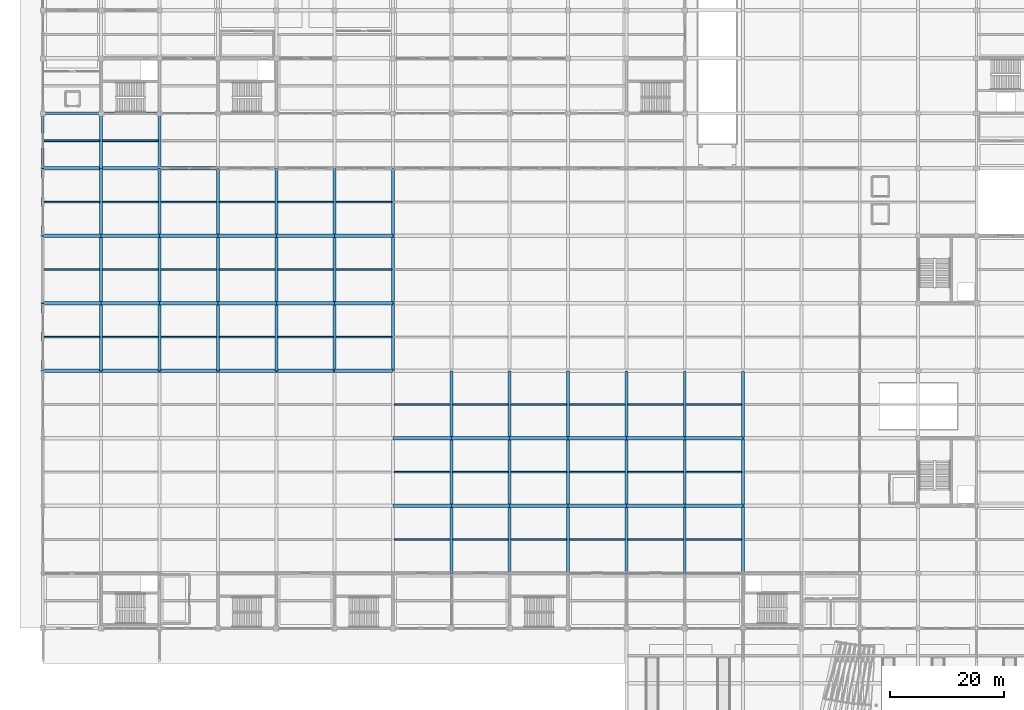
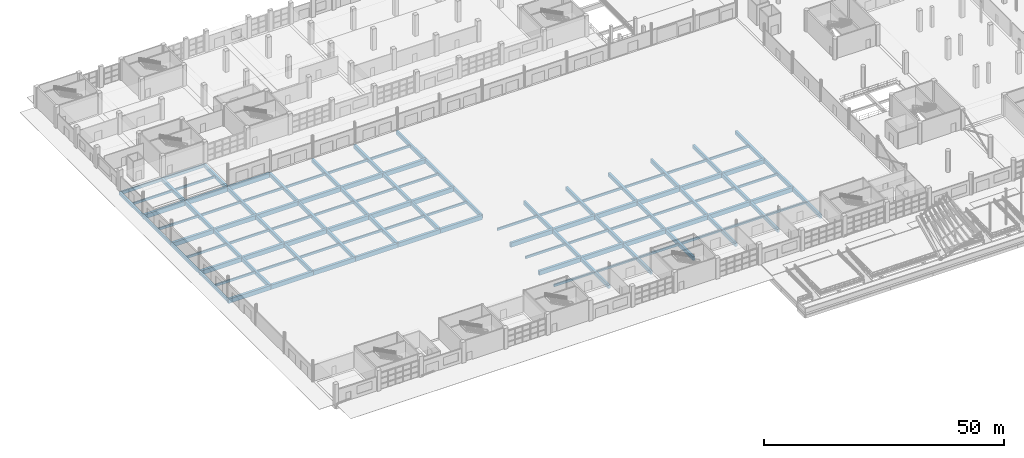
# One storey, part 37 of 124: 115 beams.
"""IFC4 building model written with IfcOpenShell, lengths in metres."""

import ifcopenshell
import ifcopenshell.guid

model = None  # the IFC model being written
_history = None  # IfcOwnerHistory: only IFC2X3 demands one
_inside = {}  # id of a spatial element -> (the spatial element, [elements in it])
_under = {}  # id of a project, library or spatial element -> (it, [spatial elements below it])
_declared = {}  # id of a project -> (the project, [libraries it declares])
_typed = {}  # id of a type object -> (the type object, [elements of that type])
_made_of = {}  # id of a material, layer set ... -> (it, [elements and type objects made of it])


def new_model(schema):
    """Start an empty IFC model of exactly this schema.

    Asked for "IFC4X3", IfcOpenShell would pick the latest addendum, in which some entities
    have other attributes; the version numbers below select the first issue.
    IFC2X3 requires an IfcOwnerHistory on every rooted entity: one is made here for all.
    """
    global model, _history
    if schema == "IFC4X3":
        model = ifcopenshell.file(schema_version=(4, 3, 0, 0))
    else:
        model = ifcopenshell.file(schema=schema)
    _inside.clear()
    _under.clear()
    _declared.clear()
    _typed.clear()
    _made_of.clear()
    _history = None
    if model.schema == "IFC2X3":
        org = make("IfcOrganization", Name="unknown")
        user = make(
            "IfcPersonAndOrganization",
            ThePerson=make("IfcPerson", FamilyName="unknown"),
            TheOrganization=org,
        )
        app = make(
            "IfcApplication",
            ApplicationDeveloper=org,
            Version="unknown",
            ApplicationFullName="unknown",
            ApplicationIdentifier="unknown",
        )
        _history = make(
            "IfcOwnerHistory",
            OwningUser=user,
            OwningApplication=app,
            ChangeAction="ADDED",
            CreationDate=0,
        )
    return model


def make(cls, **values):
    """One entity of the class cls with the attributes given. An attribute that is None is left unset."""
    return model.create_entity(
        cls, **{name: value for name, value in values.items() if value is not None}
    )


def rooted(cls, **values):
    """An entity with a GlobalId (a new one), such as an element, a storey or a relation."""
    return make(cls, GlobalId=ifcopenshell.guid.new(), OwnerHistory=_history, **values)


def si_unit(unit_type, name, prefix=None):
    """IfcSIUnit, for example si_unit("LENGTHUNIT", "METRE", prefix="MILLI")."""
    return make("IfcSIUnit", UnitType=unit_type, Prefix=prefix, Name=name)


def assignment(units):
    """IfcUnitAssignment: the units of a project."""
    return None if units is None else make("IfcUnitAssignment", Units=units)


def point(xyz):
    """IfcCartesianPoint."""
    return None if xyz is None else make("IfcCartesianPoint", Coordinates=xyz)


def direction(xyz):
    """IfcDirection."""
    return None if xyz is None else make("IfcDirection", DirectionRatios=xyz)


def frame(location, z_axis=None, x_axis=None):
    """IfcAxis2Placement3D, a coordinate frame: its origin and axes. An axis left out is left unset."""
    return make(
        "IfcAxis2Placement3D",
        Location=point(location),
        Axis=direction(z_axis),
        RefDirection=direction(x_axis),
    )


def frame_2d(location, x_axis=None):
    """IfcAxis2Placement2D, a coordinate frame in the plane: its origin and x axis."""
    return make(
        "IfcAxis2Placement2D", Location=point(location), RefDirection=direction(x_axis)
    )


def origin():
    """The frame at (0, 0, 0) with its axes left unset."""
    return frame((0.0, 0.0, 0.0))


def origin_2d():
    """The frame at (0, 0) in the plane with its x axis left unset."""
    return frame_2d((0.0, 0.0))


def place(relative_to, where):
    """IfcLocalPlacement: puts the frame where relative to a parent placement (None: the world)."""
    return make(
        "IfcLocalPlacement", PlacementRelTo=relative_to, RelativePlacement=where
    )


def context(
    kind, dimensions, precision=None, world=None, true_north=None, identifier=None
):
    """IfcGeometricRepresentationContext, for example the 3D "Model" context."""
    return make(
        "IfcGeometricRepresentationContext",
        ContextIdentifier=identifier,
        ContextType=kind,
        CoordinateSpaceDimension=dimensions,
        Precision=precision,
        WorldCoordinateSystem=world,
        TrueNorth=true_north,
    )


def subcontext(parent, identifier, kind, view, scale=None):
    """IfcGeometricRepresentationSubContext, for example "Body" below "Model"."""
    return make(
        "IfcGeometricRepresentationSubContext",
        ContextIdentifier=identifier,
        ContextType=kind,
        ParentContext=parent,
        TargetScale=scale,
        TargetView=view,
    )


def project(units=None, contexts=None):
    """IfcProject with its units and contexts."""
    return rooted(
        "IfcProject",
        Name="project",
        RepresentationContexts=contexts,
        UnitsInContext=assignment(units),
    )


def spatial(cls, under=None, at=None, **own):
    """A site, building, storey or space (cls), placed at a placement, below another one or the project."""
    s = rooted(cls, ObjectPlacement=at, **own)
    if under is not None:
        _under.setdefault(under.id(), (under, []))[1].append(s)
    return s


def profile(cls, at=None, kind="AREA", **sizes):
    """A parametric profile (cls). Its sizes go by their IFC names, for example OverallWidth=200.0."""
    return make(cls, ProfileType=kind, Position=at, **sizes)


def rectangle(**sizes):
    """IfcRectangleProfileDef."""
    return profile("IfcRectangleProfileDef", **sizes)


def extrude(swept, where, along, depth):
    """IfcExtrudedAreaSolid: the profile swept, set in the frame where, extruded along a direction by depth."""
    return make(
        "IfcExtrudedAreaSolid",
        SweptArea=swept,
        Position=where,
        ExtrudedDirection=direction(along),
        Depth=depth,
    )


def shape(context_of_items, identifier, shape_type, items):
    """IfcShapeRepresentation: the items that make up one representation, for example the "Body"."""
    return make(
        "IfcShapeRepresentation",
        ContextOfItems=context_of_items,
        RepresentationIdentifier=identifier,
        RepresentationType=shape_type,
        Items=items,
    )


def material(Name=None, Category=None):
    """IfcMaterial."""
    return make("IfcMaterial", Name=Name, Category=Category)


def material_profile(
    of_material, cross_section, Name=None, Category=None, Priority=None
):
    """IfcMaterialProfile: a cross section and its material."""
    return make(
        "IfcMaterialProfile",
        Name=Name,
        Material=of_material,
        Profile=cross_section,
        Priority=Priority,
        Category=Category,
    )


def profile_set(profiles, Name=None, composite=None):
    """IfcMaterialProfileSet."""
    return make(
        "IfcMaterialProfileSet",
        Name=Name,
        MaterialProfiles=profiles,
        CompositeProfile=composite,
    )


def made_of(thing, what):
    """Note that an element or type object is made of a material, layer set ...; save() writes the relation."""
    if what is not None:
        _made_of.setdefault(what.id(), (what, []))[1].append(thing)
    return thing


def type_object(cls, material=None, **own):
    """A type object (cls), such as IfcWallType, which elements share."""
    return made_of(rooted(cls, **own), material)


def element(
    cls,
    number,
    at=None,
    inside=None,
    cuts=None,
    type_object=None,
    material=None,
    context=None,
    identifier="Body",
    shape_type=None,
    held_by="IfcProductDefinitionShape",
    body=None,
    shapes=None,
    **own,
):
    """One element of the class cls, such as IfcWall. Its Tag is "e" and its number.

    at: its placement. inside: the storey or other place that contains it. cuts: it is an
    opening in that element (IfcRelVoidsElement). A single representation is given by context,
    identifier, shape_type and body (its items); several are given by shapes. held_by: the class
    of the entity that holds the representations. save() writes the other relations.
    """
    e = rooted(cls, Tag="e%d" % number, ObjectPlacement=at, **own)
    if body is not None:
        shapes = [shape(context, identifier, shape_type, body)]
    if shapes is not None:
        e.Representation = make(held_by, Representations=shapes)
    if inside is not None:
        _inside.setdefault(inside.id(), (inside, []))[1].append(e)
    if cuts is not None:
        rooted(
            "IfcRelVoidsElement", RelatingBuildingElement=cuts, RelatedOpeningElement=e
        )
    if type_object is not None:
        _typed.setdefault(type_object.id(), (type_object, []))[1].append(e)
    return made_of(e, material)


def aggregate(whole, parts):
    """IfcRelAggregates: a whole, such as a stair, and the parts it consists of."""
    return rooted("IfcRelAggregates", RelatingObject=whole, RelatedObjects=parts)


def save(model, path):
    """Write the relations noted so far, then the file.

    IfcRelAggregates (storeys below a building ...), IfcRelContainedInSpatialStructure (elements
    in a storey), IfcRelDefinesByType, IfcRelAssociatesMaterial and IfcRelDeclares: one each for
    every whole, place, type object, material and project.
    """
    for whole, parts in _under.values():
        aggregate(whole, parts)
    for where, things in _inside.values():
        rooted(
            "IfcRelContainedInSpatialStructure",
            RelatedElements=things,
            RelatingStructure=where,
        )
    for kind, things in _typed.values():
        rooted("IfcRelDefinesByType", RelatedObjects=things, RelatingType=kind)
    for what, things in _made_of.values():
        rooted("IfcRelAssociatesMaterial", RelatedObjects=things, RelatingMaterial=what)
    for by, libraries in _declared.values():
        rooted("IfcRelDeclares", RelatingContext=by, RelatedDefinitions=libraries)
    model.write(path)


model = new_model("IFC4")

# Units and contexts
model_context = context("Model", 3, precision=1e-05, world=origin(), true_north=direction((0.0, 1.0)))
body_context = subcontext(model_context, "Body", "Model", "MODEL_VIEW")
ifc_project = project(units=[si_unit("LENGTHUNIT", "METRE"), si_unit("AREAUNIT", "SQUARE_METRE"), si_unit("VOLUMEUNIT", "CUBIC_METRE"), si_unit("PLANEANGLEUNIT", "RADIAN"), si_unit("MASSUNIT", "GRAM", prefix="KILO")], contexts=[model_context])

# Site, building, storey
site_placement = place(None, origin())
site = spatial("IfcSite", under=ifc_project, at=site_placement, CompositionType="ELEMENT")
building_placement = place(site_placement, origin())
building = spatial("IfcBuilding", under=site, at=building_placement, Name="Brelvane Convention Centre", CompositionType="ELEMENT")
storey_placement = place(building_placement, origin())
storey = spatial("IfcBuildingStorey", under=building, at=storey_placement, Name="L00", CompositionType="ELEMENT", Elevation=0.0)

# Beams
ifc_material_1 = material(Name="Concrete M50", Category="concrete")
ifc_material_profile_1 = material_profile(ifc_material_1, rectangle(XDim=0.60009765625, YDim=1.10009765625, at=origin_2d()), Name="RC 600x1100")
ifc_profile_set_1 = profile_set([ifc_material_profile_1], Name="Concrete M50")
beam_type_1 = type_object("IfcBeamType", Name="RC Beam B-RC2 (RC 600x1100)", PredefinedType="BEAM", material=ifc_profile_set_1)
for number, where, z_axis, x_axis, name in (
    (1, (0.0, 64.199951171875, -0.945068359375), (1.0, 0.0, 0.0), (0.0, 1.0, 0.0), "L00 Beam 1-2/G"),
    (2, (0.0, 76.0, -0.929931640625), (1.0, 0.0, 0.0), (0.0, 1.0, 0.0), "L00 Beam 1-2/H"),
    (3, (0.0, 87.800048828125, -0.929931640625), (1.0, 0.0, 0.0), (0.0, 1.0, 0.0), "L00 Beam 1-2/J"),
    (4, (0.0, 99.60009765625, -0.949951171875), (1.0, 0.0, 0.0), (0.0, 1.0, 0.0), "L00 Beam 1-2/K"),
    (5, (10.199951171875, 64.199951171875, -0.945068359375), (1.0, 0.0, 0.0), (0.0, 1.0, 0.0), "L00 Beam 2-3/G"),
    (6, (10.199951171875, 76.0, -0.929931640625), (1.0, 0.0, 0.0), (0.0, 1.0, 0.0), "L00 Beam 2-3/H"),
    (7, (10.199951171875, 87.800048828125, -0.929931640625), (1.0, 0.0, 0.0), (0.0, 1.0, 0.0), "L00 Beam 2-3/J"),
    (8, (10.199951171875, 99.60009765625, -0.949951171875), (1.0, 0.0, 0.0), (0.0, 1.0, 0.0), "L00 Beam 2-3/K"),
):
    element("IfcBeam", number, at=place(storey_placement, frame(where, z_axis=z_axis, x_axis=x_axis)), inside=storey, type_object=beam_type_1, Name=name, PredefinedType="BEAM", context=body_context, shape_type="SweptSolid", body=[
        extrude(rectangle(XDim=0.60009765625, YDim=1.10009765625, at=origin_2d()), origin(), (0.0, 0.0, 1.0), 10.199951171875),
    ])
for number, where, z_axis, x_axis, name in (
    (9, (20.39990234375, 64.199951171875, -0.945068359375), (1.0, 0.0, 0.0), (0.0, 1.0, 0.0), "L00 Beam 3-4/G"),
    (10, (20.39990234375, 76.0, -0.929931640625), (1.0, 0.0, 0.0), (0.0, 1.0, 0.0), "L00 Beam 3-4/H"),
    (11, (20.39990234375, 87.800048828125, -0.929931640625), (1.0, 0.0, 0.0), (0.0, 1.0, 0.0), "L00 Beam 3-4/J"),
    (12, (20.39990234375, 99.60009765625, -0.949951171875), (1.0, 0.0, 0.0), (0.0, 1.0, 0.0), "L00 Beam 3-4/K"),
):
    element("IfcBeam", number, at=place(storey_placement, frame(where, z_axis=z_axis, x_axis=x_axis)), inside=storey, type_object=beam_type_1, Name=name, PredefinedType="BEAM", context=body_context, shape_type="SweptSolid", body=[
        extrude(rectangle(XDim=0.60009765625, YDim=1.10009765625, at=origin_2d()), origin(), (0.0, 0.0, 1.0), 10.2001953125),
    ])
for number, where, z_axis, x_axis, name in (
    (13, (30.60009765625, 64.199951171875, -0.945068359375), (1.0, 0.0, 0.0), (0.0, 1.0, 0.0), "L00 Beam 4-5/G"),
    (14, (30.60009765625, 76.0, -0.929931640625), (1.0, 0.0, 0.0), (0.0, 1.0, 0.0), "L00 Beam 4-5/H"),
    (15, (30.60009765625, 87.800048828125, -0.929931640625), (1.0, 0.0, 0.0), (0.0, 1.0, 0.0), "L00 Beam 4-5/J"),
    (16, (40.800048828125, 64.199951171875, -0.945068359375), (1.0, 0.0, 0.0), (0.0, 1.0, 0.0), "L00 Beam 5-6/G"),
    (17, (40.800048828125, 76.0, -0.929931640625), (1.0, 0.0, 0.0), (0.0, 1.0, 0.0), "L00 Beam 5-6/H"),
    (18, (40.800048828125, 87.800048828125, -0.929931640625), (1.0, 0.0, 0.0), (0.0, 1.0, 0.0), "L00 Beam 5-6/J"),
    (19, (51.0, 64.199951171875, -0.929931640625), (1.0, 0.0, 0.0), (0.0, 1.0, 0.0), "L00 Beam 6-7/G"),
    (20, (51.0, 76.0, -0.929931640625), (1.0, 0.0, 0.0), (0.0, 1.0, 0.0), "L00 Beam 6-7/H"),
    (21, (51.0, 87.800048828125, -0.929931640625), (1.0, 0.0, 0.0), (0.0, 1.0, 0.0), "L00 Beam 6-7/J"),
    (22, (61.199951171875, 40.60009765625, -0.9150390625), (1.0, 0.0, 0.0), (0.0, 1.0, 0.0), "L00 Beam 7-8/E"),
    (23, (61.199951171875, 52.39990234375, -0.9150390625), (1.0, 0.0, 0.0), (0.0, 1.0, 0.0), "L00 Beam 7-8/F"),
):
    element("IfcBeam", number, at=place(storey_placement, frame(where, z_axis=z_axis, x_axis=x_axis)), inside=storey, type_object=beam_type_1, Name=name, PredefinedType="BEAM", context=body_context, shape_type="SweptSolid", body=[
        extrude(rectangle(XDim=0.60009765625, YDim=1.10009765625, at=origin_2d()), origin(), (0.0, 0.0, 1.0), 10.199951171875),
    ])
for number, where, z_axis, x_axis, name in (
    (24, (71.39990234375, 40.60009765625, -0.9150390625), (1.0, 0.0, 0.0), (0.0, 1.0, 0.0), "L00 Beam 8-9/E"),
    (25, (71.39990234375, 52.39990234375, -0.9150390625), (1.0, 0.0, 0.0), (0.0, 1.0, 0.0), "L00 Beam 8-9/F"),
):
    element("IfcBeam", number, at=place(storey_placement, frame(where, z_axis=z_axis, x_axis=x_axis)), inside=storey, type_object=beam_type_1, Name=name, PredefinedType="BEAM", context=body_context, shape_type="SweptSolid", body=[
        extrude(rectangle(XDim=0.60009765625, YDim=1.10009765625, at=origin_2d()), origin(), (0.0, 0.0, 1.0), 10.2001953125),
    ])
for number, where, z_axis, x_axis, name in (
    (26, (81.60009765625, 40.60009765625, -0.9150390625), (1.0, 0.0, 0.0), (0.0, 1.0, 0.0), "L00 Beam 9-10/E"),
    (27, (81.60009765625, 52.39990234375, -0.9150390625), (1.0, 0.0, 0.0), (0.0, 1.0, 0.0), "L00 Beam 9-10/F"),
    (28, (91.800048828125, 40.60009765625, -0.9150390625), (1.0, 0.0, 0.0), (0.0, 1.0, 0.0), "L00 Beam 10-11/E"),
    (29, (91.800048828125, 52.39990234375, -0.9150390625), (1.0, 0.0, 0.0), (0.0, 1.0, 0.0), "L00 Beam 10-11/F"),
    (30, (102.0, 40.60009765625, -0.929931640625), (1.0, 0.0, 0.0), (0.0, 1.0, 0.0), "L00 Beam 11-12/E"),
    (31, (102.0, 52.39990234375, -0.929931640625), (1.0, 0.0, 0.0), (0.0, 1.0, 0.0), "L00 Beam 11-12/F"),
    (32, (112.199951171875, 40.60009765625, -0.929931640625), (1.0, 0.0, 0.0), (0.0, 1.0, 0.0), "L00 Beam 12-13/E"),
    (33, (112.199951171875, 52.39990234375, -0.929931640625), (1.0, 0.0, 0.0), (0.0, 1.0, 0.0), "L00 Beam 12-13/F"),
):
    element("IfcBeam", number, at=place(storey_placement, frame(where, z_axis=z_axis, x_axis=x_axis)), inside=storey, type_object=beam_type_1, Name=name, PredefinedType="BEAM", context=body_context, shape_type="SweptSolid", body=[
        extrude(rectangle(XDim=0.60009765625, YDim=1.10009765625, at=origin_2d()), origin(), (0.0, 0.0, 1.0), 10.199951171875),
    ])
ifc_material_2 = material(Name="Concrete M50", Category="concrete")
ifc_material_profile_2 = material_profile(ifc_material_2, rectangle(XDim=0.52001953125, YDim=0.949951171875, at=origin_2d()), Name="RC 520x950")
ifc_profile_set_2 = profile_set([ifc_material_profile_2], Name="Concrete M50")
beam_type_2 = type_object("IfcBeamType", Name="RC Beam B-RC9 (RC 520x950)", PredefinedType="BEAM", material=ifc_profile_set_2)
for number, where, z_axis, x_axis, name in (
    (34, (10.199951171875, 64.199951171875, -0.85498046875), (0.0, 1.0, 0.0), (-1.0, 0.0, 0.0), "L00 Girder 2/G-H"),
    (35, (10.199951171875, 76.0, -0.85498046875), (0.0, 1.0, 0.0), (-1.0, 0.0, 0.0), "L00 Girder 2/H-J"),
    (36, (10.199951171875, 87.800048828125, -0.85498046875), (0.0, 1.0, 0.0), (-1.0, 0.0, 0.0), "L00 Girder 2/J-K"),
):
    element("IfcBeam", number, at=place(storey_placement, frame(where, z_axis=z_axis, x_axis=x_axis)), inside=storey, type_object=beam_type_2, Name=name, PredefinedType="BEAM", context=body_context, shape_type="SweptSolid", body=[
        extrude(rectangle(XDim=0.52001953125, YDim=0.949951171875, at=origin_2d()), origin(), (0.0, 0.0, 1.0), 11.800048828125),
    ])
beam_1_placement = place(storey_placement, frame((10.199951171875, 99.60009765625, -0.875), z_axis=(0.0, 1.0, 0.0), x_axis=(-1.0, 0.0, 0.0)))
element("IfcBeam", 37, at=beam_1_placement, inside=storey, type_object=beam_type_2, Name="L00 Girder 2/K-L", PredefinedType="BEAM", context=body_context, shape_type="SweptSolid", body=[
    extrude(rectangle(XDim=0.52001953125, YDim=0.949951171875, at=origin_2d()), origin(), (0.0, 0.0, 1.0), 9.599853515625),
])
for number, where, z_axis, x_axis, name in (
    (38, (20.39990234375, 64.199951171875, -0.85498046875), (0.0, 1.0, 0.0), (-1.0, 0.0, 0.0), "L00 Girder 3/G-H"),
    (39, (20.39990234375, 76.0, -0.85498046875), (0.0, 1.0, 0.0), (-1.0, 0.0, 0.0), "L00 Girder 3/H-J"),
    (40, (20.39990234375, 87.800048828125, -0.85498046875), (0.0, 1.0, 0.0), (-1.0, 0.0, 0.0), "L00 Girder 3/J-K"),
):
    element("IfcBeam", number, at=place(storey_placement, frame(where, z_axis=z_axis, x_axis=x_axis)), inside=storey, type_object=beam_type_2, Name=name, PredefinedType="BEAM", context=body_context, shape_type="SweptSolid", body=[
        extrude(rectangle(XDim=0.52001953125, YDim=0.949951171875, at=origin_2d()), origin(), (0.0, 0.0, 1.0), 11.800048828125),
    ])
beam_2_placement = place(storey_placement, frame((20.39990234375, 99.60009765625, -0.875), z_axis=(0.0, 1.0, 0.0), x_axis=(-1.0, 0.0, 0.0)))
element("IfcBeam", 41, at=beam_2_placement, inside=storey, type_object=beam_type_2, Name="L00 Girder 3/K-L", PredefinedType="BEAM", context=body_context, shape_type="SweptSolid", body=[
    extrude(rectangle(XDim=0.52001953125, YDim=0.949951171875, at=origin_2d()), origin(), (0.0, 0.0, 1.0), 9.599853515625),
])
for number, where, z_axis, x_axis, name in (
    (42, (30.60009765625, 64.199951171875, -0.85498046875), (0.0, 1.0, 0.0), (-1.0, 0.0, 0.0), "L00 Girder 4/G-H"),
    (43, (30.60009765625, 76.0, -0.85498046875), (0.0, 1.0, 0.0), (-1.0, 0.0, 0.0), "L00 Girder 4/H-J"),
    (44, (30.60009765625, 87.800048828125, -0.85498046875), (0.0, 1.0, 0.0), (-1.0, 0.0, 0.0), "L00 Girder 4/J-K"),
    (45, (40.800048828125, 64.199951171875, -0.85498046875), (0.0, 1.0, 0.0), (-1.0, 0.0, 0.0), "L00 Girder 5/G-H"),
    (46, (40.800048828125, 76.0, -0.85498046875), (0.0, 1.0, 0.0), (-1.0, 0.0, 0.0), "L00 Girder 5/H-J"),
    (47, (40.800048828125, 87.800048828125, -0.85498046875), (0.0, 1.0, 0.0), (-1.0, 0.0, 0.0), "L00 Girder 5/J-K"),
    (48, (51.0, 64.199951171875, -0.85498046875), (0.0, 1.0, 0.0), (-1.0, 0.0, 0.0), "L00 Girder 6/G-H"),
    (49, (51.0, 76.0, -0.85498046875), (0.0, 1.0, 0.0), (-1.0, 0.0, 0.0), "L00 Girder 6/H-J"),
    (50, (51.0, 87.800048828125, -0.85498046875), (0.0, 1.0, 0.0), (-1.0, 0.0, 0.0), "L00 Girder 6/J-K"),
    (51, (61.199951171875, 64.199951171875, -0.85498046875), (0.0, 1.0, 0.0), (-1.0, 0.0, 0.0), "L00 Girder 7/G-H"),
    (52, (61.199951171875, 76.0, -0.85498046875), (0.0, 1.0, 0.0), (-1.0, 0.0, 0.0), "L00 Girder 7/H-J"),
    (53, (61.199951171875, 87.800048828125, -0.85498046875), (0.0, 1.0, 0.0), (-1.0, 0.0, 0.0), "L00 Girder 7/J-K"),
    (54, (71.39990234375, 28.800048828125, -0.840087890625), (0.0, 1.0, 0.0), (-1.0, 0.0, 0.0), "L00 Girder 8/D-E"),
):
    element("IfcBeam", number, at=place(storey_placement, frame(where, z_axis=z_axis, x_axis=x_axis)), inside=storey, type_object=beam_type_2, Name=name, PredefinedType="BEAM", context=body_context, shape_type="SweptSolid", body=[
        extrude(rectangle(XDim=0.52001953125, YDim=0.949951171875, at=origin_2d()), origin(), (0.0, 0.0, 1.0), 11.800048828125),
    ])
beam_3_placement = place(storey_placement, frame((71.39990234375, 40.60009765625, -0.840087890625), z_axis=(0.0, 1.0, 0.0), x_axis=(-1.0, 0.0, 0.0)))
element("IfcBeam", 55, at=beam_3_placement, inside=storey, type_object=beam_type_2, Name="L00 Girder 8/E-F", PredefinedType="BEAM", context=body_context, shape_type="SweptSolid", body=[
    extrude(rectangle(XDim=0.52001953125, YDim=0.949951171875, at=origin_2d()), origin(), (0.0, 0.0, 1.0), 11.7998046875),
])
for number, where, z_axis, x_axis, name in (
    (56, (71.39990234375, 52.39990234375, -0.840087890625), (0.0, 1.0, 0.0), (-1.0, 0.0, 0.0), "L00 Girder 8/F-G"),
    (57, (81.60009765625, 28.800048828125, -0.840087890625), (0.0, 1.0, 0.0), (-1.0, 0.0, 0.0), "L00 Girder 9/D-E"),
):
    element("IfcBeam", number, at=place(storey_placement, frame(where, z_axis=z_axis, x_axis=x_axis)), inside=storey, type_object=beam_type_2, Name=name, PredefinedType="BEAM", context=body_context, shape_type="SweptSolid", body=[
        extrude(rectangle(XDim=0.52001953125, YDim=0.949951171875, at=origin_2d()), origin(), (0.0, 0.0, 1.0), 11.800048828125),
    ])
beam_4_placement = place(storey_placement, frame((81.60009765625, 40.60009765625, -0.840087890625), z_axis=(0.0, 1.0, 0.0), x_axis=(-1.0, 0.0, 0.0)))
element("IfcBeam", 58, at=beam_4_placement, inside=storey, type_object=beam_type_2, Name="L00 Girder 9/E-F", PredefinedType="BEAM", context=body_context, shape_type="SweptSolid", body=[
    extrude(rectangle(XDim=0.52001953125, YDim=0.949951171875, at=origin_2d()), origin(), (0.0, 0.0, 1.0), 11.7998046875),
])
for number, where, z_axis, x_axis, name in (
    (59, (81.60009765625, 52.39990234375, -0.840087890625), (0.0, 1.0, 0.0), (-1.0, 0.0, 0.0), "L00 Girder 9/F-G"),
    (60, (91.800048828125, 28.800048828125, -0.840087890625), (0.0, 1.0, 0.0), (-1.0, 0.0, 0.0), "L00 Girder 10/D-E"),
):
    element("IfcBeam", number, at=place(storey_placement, frame(where, z_axis=z_axis, x_axis=x_axis)), inside=storey, type_object=beam_type_2, Name=name, PredefinedType="BEAM", context=body_context, shape_type="SweptSolid", body=[
        extrude(rectangle(XDim=0.52001953125, YDim=0.949951171875, at=origin_2d()), origin(), (0.0, 0.0, 1.0), 11.800048828125),
    ])
beam_5_placement = place(storey_placement, frame((91.800048828125, 40.60009765625, -0.840087890625), z_axis=(0.0, 1.0, 0.0), x_axis=(-1.0, 0.0, 0.0)))
element("IfcBeam", 61, at=beam_5_placement, inside=storey, type_object=beam_type_2, Name="L00 Girder 10/E-F", PredefinedType="BEAM", context=body_context, shape_type="SweptSolid", body=[
    extrude(rectangle(XDim=0.52001953125, YDim=0.949951171875, at=origin_2d()), origin(), (0.0, 0.0, 1.0), 11.7998046875),
])
for number, where, z_axis, x_axis, name in (
    (62, (91.800048828125, 52.39990234375, -0.840087890625), (0.0, 1.0, 0.0), (-1.0, 0.0, 0.0), "L00 Girder 10/F-G"),
    (63, (102.0, 28.800048828125, -0.85498046875), (0.0, 1.0, 0.0), (-1.0, 0.0, 0.0), "L00 Girder 11/D-E"),
):
    element("IfcBeam", number, at=place(storey_placement, frame(where, z_axis=z_axis, x_axis=x_axis)), inside=storey, type_object=beam_type_2, Name=name, PredefinedType="BEAM", context=body_context, shape_type="SweptSolid", body=[
        extrude(rectangle(XDim=0.52001953125, YDim=0.949951171875, at=origin_2d()), origin(), (0.0, 0.0, 1.0), 11.800048828125),
    ])
beam_6_placement = place(storey_placement, frame((102.0, 40.60009765625, -0.85498046875), z_axis=(0.0, 1.0, 0.0), x_axis=(-1.0, 0.0, 0.0)))
element("IfcBeam", 64, at=beam_6_placement, inside=storey, type_object=beam_type_2, Name="L00 Girder 11/E-F", PredefinedType="BEAM", context=body_context, shape_type="SweptSolid", body=[
    extrude(rectangle(XDim=0.52001953125, YDim=0.949951171875, at=origin_2d()), origin(), (0.0, 0.0, 1.0), 11.7998046875),
])
for number, where, z_axis, x_axis, name in (
    (65, (102.0, 52.39990234375, -0.85498046875), (0.0, 1.0, 0.0), (-1.0, 0.0, 0.0), "L00 Girder 11/F-G"),
    (66, (112.199951171875, 28.800048828125, -0.85498046875), (0.0, 1.0, 0.0), (-1.0, 0.0, 0.0), "L00 Girder 12/D-E"),
):
    element("IfcBeam", number, at=place(storey_placement, frame(where, z_axis=z_axis, x_axis=x_axis)), inside=storey, type_object=beam_type_2, Name=name, PredefinedType="BEAM", context=body_context, shape_type="SweptSolid", body=[
        extrude(rectangle(XDim=0.52001953125, YDim=0.949951171875, at=origin_2d()), origin(), (0.0, 0.0, 1.0), 11.800048828125),
    ])
beam_7_placement = place(storey_placement, frame((112.199951171875, 40.60009765625, -0.85498046875), z_axis=(0.0, 1.0, 0.0), x_axis=(-1.0, 0.0, 0.0)))
element("IfcBeam", 67, at=beam_7_placement, inside=storey, type_object=beam_type_2, Name="L00 Girder 12/E-F", PredefinedType="BEAM", context=body_context, shape_type="SweptSolid", body=[
    extrude(rectangle(XDim=0.52001953125, YDim=0.949951171875, at=origin_2d()), origin(), (0.0, 0.0, 1.0), 11.7998046875),
])
for number, where, z_axis, x_axis, name in (
    (68, (112.199951171875, 52.39990234375, -0.85498046875), (0.0, 1.0, 0.0), (-1.0, 0.0, 0.0), "L00 Girder 12/F-G"),
    (69, (122.39990234375, 28.800048828125, -0.85498046875), (0.0, 1.0, 0.0), (-1.0, 0.0, 0.0), "L00 Girder 13/D-E"),
):
    element("IfcBeam", number, at=place(storey_placement, frame(where, z_axis=z_axis, x_axis=x_axis)), inside=storey, type_object=beam_type_2, Name=name, PredefinedType="BEAM", context=body_context, shape_type="SweptSolid", body=[
        extrude(rectangle(XDim=0.52001953125, YDim=0.949951171875, at=origin_2d()), origin(), (0.0, 0.0, 1.0), 11.800048828125),
    ])
beam_8_placement = place(storey_placement, frame((122.39990234375, 40.60009765625, -0.85498046875), z_axis=(0.0, 1.0, 0.0), x_axis=(-1.0, 0.0, 0.0)))
element("IfcBeam", 70, at=beam_8_placement, inside=storey, type_object=beam_type_2, Name="L00 Girder 13/E-F", PredefinedType="BEAM", context=body_context, shape_type="SweptSolid", body=[
    extrude(rectangle(XDim=0.52001953125, YDim=0.949951171875, at=origin_2d()), origin(), (0.0, 0.0, 1.0), 11.7998046875),
])
beam_9_placement = place(storey_placement, frame((122.39990234375, 52.39990234375, -0.85498046875), z_axis=(0.0, 1.0, 0.0), x_axis=(-1.0, 0.0, 0.0)))
element("IfcBeam", 71, at=beam_9_placement, inside=storey, type_object=beam_type_2, Name="L00 Girder 13/F-G", PredefinedType="BEAM", context=body_context, shape_type="SweptSolid", body=[
    extrude(rectangle(XDim=0.52001953125, YDim=0.949951171875, at=origin_2d()), origin(), (0.0, 0.0, 1.0), 11.800048828125),
])
ifc_material_3 = material(Name="Concrete M40", Category="concrete")
ifc_material_profile_3 = material_profile(ifc_material_3, rectangle(XDim=0.320068359375, YDim=0.580078125, at=origin_2d()), Name="RC 320x580")
ifc_profile_set_3 = profile_set([ifc_material_profile_3], Name="Concrete M40")
beam_type_3 = type_object("IfcBeamType", Name="RC Joist J-RC3 (RC 320x580)", PredefinedType="JOIST", material=ifc_profile_set_3)
for number, where, z_axis, x_axis, name in (
    (72, (0.199951171875, 70.10009765625, -0.669921875), (1.0, 0.0, 0.0), (0.0, 1.0, 0.0), "L00 Secondary Joist 1-2/GH"),
    (73, (0.199951171875, 81.89990234375, -0.669921875), (1.0, 0.0, 0.0), (0.0, 1.0, 0.0), "L00 Secondary Joist 1-2/HJ"),
    (74, (0.199951171875, 93.699951171875, -0.669921875), (1.0, 0.0, 0.0), (0.0, 1.0, 0.0), "L00 Secondary Joist 1-2/JK"),
    (75, (0.199951171875, 104.39990234375, -0.68994140625), (1.0, 0.0, 0.0), (0.0, 1.0, 0.0), "L00 Secondary Joist 1-2/KL"),
):
    element("IfcBeam", number, at=place(storey_placement, frame(where, z_axis=z_axis, x_axis=x_axis)), inside=storey, type_object=beam_type_3, Name=name, PredefinedType="JOIST", context=body_context, shape_type="SweptSolid", body=[
        extrude(rectangle(XDim=0.320068359375, YDim=0.580078125, at=origin_2d()), origin(), (0.0, 0.0, 1.0), 9.739990234375),
    ])
for number, where, z_axis, x_axis, name in (
    (76, (10.4599609375, 70.10009765625, -0.669921875), (1.0, 0.0, 0.0), (0.0, 1.0, 0.0), "L00 Secondary Joist 2-3/GH"),
    (77, (10.4599609375, 81.89990234375, -0.669921875), (1.0, 0.0, 0.0), (0.0, 1.0, 0.0), "L00 Secondary Joist 2-3/HJ"),
    (78, (10.4599609375, 93.699951171875, -0.669921875), (1.0, 0.0, 0.0), (0.0, 1.0, 0.0), "L00 Secondary Joist 2-3/JK"),
    (79, (10.4599609375, 104.39990234375, -0.68994140625), (1.0, 0.0, 0.0), (0.0, 1.0, 0.0), "L00 Secondary Joist 2-3/KL"),
):
    element("IfcBeam", number, at=place(storey_placement, frame(where, z_axis=z_axis, x_axis=x_axis)), inside=storey, type_object=beam_type_3, Name=name, PredefinedType="JOIST", context=body_context, shape_type="SweptSolid", body=[
        extrude(rectangle(XDim=0.320068359375, YDim=0.580078125, at=origin_2d()), origin(), (0.0, 0.0, 1.0), 9.679931640625),
    ])
for number, where, z_axis, x_axis, name in (
    (80, (20.659912109375, 70.10009765625, -0.669921875), (1.0, 0.0, 0.0), (0.0, 1.0, 0.0), "L00 Secondary Joist 3-4/GH"),
    (81, (20.659912109375, 81.89990234375, -0.669921875), (1.0, 0.0, 0.0), (0.0, 1.0, 0.0), "L00 Secondary Joist 3-4/HJ"),
    (82, (20.659912109375, 93.699951171875, -0.669921875), (1.0, 0.0, 0.0), (0.0, 1.0, 0.0), "L00 Secondary Joist 3-4/JK"),
):
    element("IfcBeam", number, at=place(storey_placement, frame(where, z_axis=z_axis, x_axis=x_axis)), inside=storey, type_object=beam_type_3, Name=name, PredefinedType="JOIST", context=body_context, shape_type="SweptSolid", body=[
        extrude(rectangle(XDim=0.320068359375, YDim=0.580078125, at=origin_2d()), origin(), (0.0, 0.0, 1.0), 9.68017578125),
    ])
for number, where, z_axis, x_axis, name in (
    (83, (30.860107421875, 70.10009765625, -0.669921875), (1.0, 0.0, 0.0), (0.0, 1.0, 0.0), "L00 Secondary Joist 4-5/GH"),
    (84, (30.860107421875, 81.89990234375, -0.669921875), (1.0, 0.0, 0.0), (0.0, 1.0, 0.0), "L00 Secondary Joist 4-5/HJ"),
    (85, (30.860107421875, 93.699951171875, -0.669921875), (1.0, 0.0, 0.0), (0.0, 1.0, 0.0), "L00 Secondary Joist 4-5/JK"),
    (86, (41.06005859375, 70.10009765625, -0.669921875), (1.0, 0.0, 0.0), (0.0, 1.0, 0.0), "L00 Secondary Joist 5-6/GH"),
    (87, (41.06005859375, 81.89990234375, -0.669921875), (1.0, 0.0, 0.0), (0.0, 1.0, 0.0), "L00 Secondary Joist 5-6/HJ"),
    (88, (41.06005859375, 93.699951171875, -0.669921875), (1.0, 0.0, 0.0), (0.0, 1.0, 0.0), "L00 Secondary Joist 5-6/JK"),
    (89, (51.260009765625, 70.10009765625, -0.669921875), (1.0, 0.0, 0.0), (0.0, 1.0, 0.0), "L00 Secondary Joist 6-7/GH"),
    (90, (51.260009765625, 81.89990234375, -0.669921875), (1.0, 0.0, 0.0), (0.0, 1.0, 0.0), "L00 Secondary Joist 6-7/HJ"),
    (91, (51.260009765625, 93.699951171875, -0.669921875), (1.0, 0.0, 0.0), (0.0, 1.0, 0.0), "L00 Secondary Joist 6-7/JK"),
    (92, (61.4599609375, 34.699951171875, -0.655029296875), (1.0, 0.0, 0.0), (0.0, 1.0, 0.0), "L00 Secondary Joist 7-8/DE"),
    (93, (61.4599609375, 46.5, -0.655029296875), (1.0, 0.0, 0.0), (0.0, 1.0, 0.0), "L00 Secondary Joist 7-8/EF"),
    (94, (61.4599609375, 58.300048828125, -0.655029296875), (1.0, 0.0, 0.0), (0.0, 1.0, 0.0), "L00 Secondary Joist 7-8/FG"),
):
    element("IfcBeam", number, at=place(storey_placement, frame(where, z_axis=z_axis, x_axis=x_axis)), inside=storey, type_object=beam_type_3, Name=name, PredefinedType="JOIST", context=body_context, shape_type="SweptSolid", body=[
        extrude(rectangle(XDim=0.320068359375, YDim=0.580078125, at=origin_2d()), origin(), (0.0, 0.0, 1.0), 9.679931640625),
    ])
for number, where, z_axis, x_axis, name in (
    (95, (71.659912109375, 34.699951171875, -0.655029296875), (1.0, 0.0, 0.0), (0.0, 1.0, 0.0), "L00 Secondary Joist 8-9/DE"),
    (96, (71.659912109375, 46.5, -0.655029296875), (1.0, 0.0, 0.0), (0.0, 1.0, 0.0), "L00 Secondary Joist 8-9/EF"),
    (97, (71.659912109375, 58.300048828125, -0.655029296875), (1.0, 0.0, 0.0), (0.0, 1.0, 0.0), "L00 Secondary Joist 8-9/FG"),
):
    element("IfcBeam", number, at=place(storey_placement, frame(where, z_axis=z_axis, x_axis=x_axis)), inside=storey, type_object=beam_type_3, Name=name, PredefinedType="JOIST", context=body_context, shape_type="SweptSolid", body=[
        extrude(rectangle(XDim=0.320068359375, YDim=0.580078125, at=origin_2d()), origin(), (0.0, 0.0, 1.0), 9.68017578125),
    ])
for number, where, z_axis, x_axis, name in (
    (98, (81.860107421875, 34.699951171875, -0.655029296875), (1.0, 0.0, 0.0), (0.0, 1.0, 0.0), "L00 Secondary Joist 9-10/DE"),
    (99, (81.860107421875, 46.5, -0.655029296875), (1.0, 0.0, 0.0), (0.0, 1.0, 0.0), "L00 Secondary Joist 9-10/EF"),
    (100, (81.860107421875, 58.300048828125, -0.655029296875), (1.0, 0.0, 0.0), (0.0, 1.0, 0.0), "L00 Secondary Joist 9-10/FG"),
    (101, (92.06005859375, 34.699951171875, -0.655029296875), (1.0, 0.0, 0.0), (0.0, 1.0, 0.0), "L00 Secondary Joist 10-11/DE"),
    (102, (92.06005859375, 46.5, -0.655029296875), (1.0, 0.0, 0.0), (0.0, 1.0, 0.0), "L00 Secondary Joist 10-11/EF"),
    (103, (92.06005859375, 58.300048828125, -0.655029296875), (1.0, 0.0, 0.0), (0.0, 1.0, 0.0), "L00 Secondary Joist 10-11/FG"),
    (104, (102.260009765625, 34.699951171875, -0.669921875), (1.0, 0.0, 0.0), (0.0, 1.0, 0.0), "L00 Secondary Joist 11-12/DE"),
    (105, (102.260009765625, 46.5, -0.669921875), (1.0, 0.0, 0.0), (0.0, 1.0, 0.0), "L00 Secondary Joist 11-12/EF"),
    (106, (102.260009765625, 58.300048828125, -0.669921875), (1.0, 0.0, 0.0), (0.0, 1.0, 0.0), "L00 Secondary Joist 11-12/FG"),
    (107, (112.4599609375, 34.699951171875, -0.669921875), (1.0, 0.0, 0.0), (0.0, 1.0, 0.0), "L00 Secondary Joist 12-13/DE"),
    (108, (112.4599609375, 46.5, -0.669921875), (1.0, 0.0, 0.0), (0.0, 1.0, 0.0), "L00 Secondary Joist 12-13/EF"),
    (109, (112.4599609375, 58.300048828125, -0.669921875), (1.0, 0.0, 0.0), (0.0, 1.0, 0.0), "L00 Secondary Joist 12-13/FG"),
):
    element("IfcBeam", number, at=place(storey_placement, frame(where, z_axis=z_axis, x_axis=x_axis)), inside=storey, type_object=beam_type_3, Name=name, PredefinedType="JOIST", context=body_context, shape_type="SweptSolid", body=[
        extrude(rectangle(XDim=0.320068359375, YDim=0.580078125, at=origin_2d()), origin(), (0.0, 0.0, 1.0), 9.679931640625),
    ])
ifc_material_4 = material(Name="Concrete M40", Category="concrete")
ifc_material_profile_4 = material_profile(ifc_material_4, rectangle(XDim=0.39990234375, YDim=0.75, at=origin_2d()), Name="RC 400x750")
ifc_profile_set_4 = profile_set([ifc_material_profile_4], Name="Concrete M40")
beam_type_4 = type_object("IfcBeamType", Name="RC Spandrel SP-RC1 (RC 400x750)", PredefinedType="SPANDREL", material=ifc_profile_set_4)
for number, where, z_axis, x_axis, name in (
    (110, (0.0, 109.199951171875, -0.7900390625), (1.0, 0.0, 0.0), (0.0, 1.0, 0.0), "L00 Beam 1-2/L"),
    (111, (10.199951171875, 109.199951171875, -0.7900390625), (1.0, 0.0, 0.0), (0.0, 1.0, 0.0), "L00 Beam 2-3/L"),
):
    element("IfcBeam", number, at=place(storey_placement, frame(where, z_axis=z_axis, x_axis=x_axis)), inside=storey, type_object=beam_type_4, Name=name, PredefinedType="SPANDREL", context=body_context, shape_type="SweptSolid", body=[
        extrude(rectangle(XDim=0.39990234375, YDim=0.75, at=origin_2d()), origin(), (0.0, 0.0, 1.0), 10.199951171875),
    ])
for number, where, z_axis, x_axis, name in (
    (112, (0.0, 64.199951171875, -0.7548828125), (0.0, 1.0, 0.0), (-1.0, 0.0, 0.0), "L00 Girder 1/G-H"),
    (113, (0.0, 76.0, -0.7548828125), (0.0, 1.0, 0.0), (-1.0, 0.0, 0.0), "L00 Girder 1/H-J"),
    (114, (0.0, 87.800048828125, -0.7548828125), (0.0, 1.0, 0.0), (-1.0, 0.0, 0.0), "L00 Girder 1/J-K"),
):
    element("IfcBeam", number, at=place(storey_placement, frame(where, z_axis=z_axis, x_axis=x_axis)), inside=storey, type_object=beam_type_4, Name=name, PredefinedType="SPANDREL", context=body_context, shape_type="SweptSolid", body=[
        extrude(rectangle(XDim=0.39990234375, YDim=0.75, at=origin_2d()), origin(), (0.0, 0.0, 1.0), 11.800048828125),
    ])
beam_10_placement = place(storey_placement, frame((0.0, 99.60009765625, -0.77490234375), z_axis=(0.0, 1.0, 0.0), x_axis=(-1.0, 0.0, 0.0)))
element("IfcBeam", 115, at=beam_10_placement, inside=storey, type_object=beam_type_4, Name="L00 Girder 1/K-L", PredefinedType="SPANDREL", context=body_context, shape_type="SweptSolid", body=[
    extrude(rectangle(XDim=0.39990234375, YDim=0.75, at=origin_2d()), origin(), (0.0, 0.0, 1.0), 9.599853515625),
])

save(model, "model.ifc")
